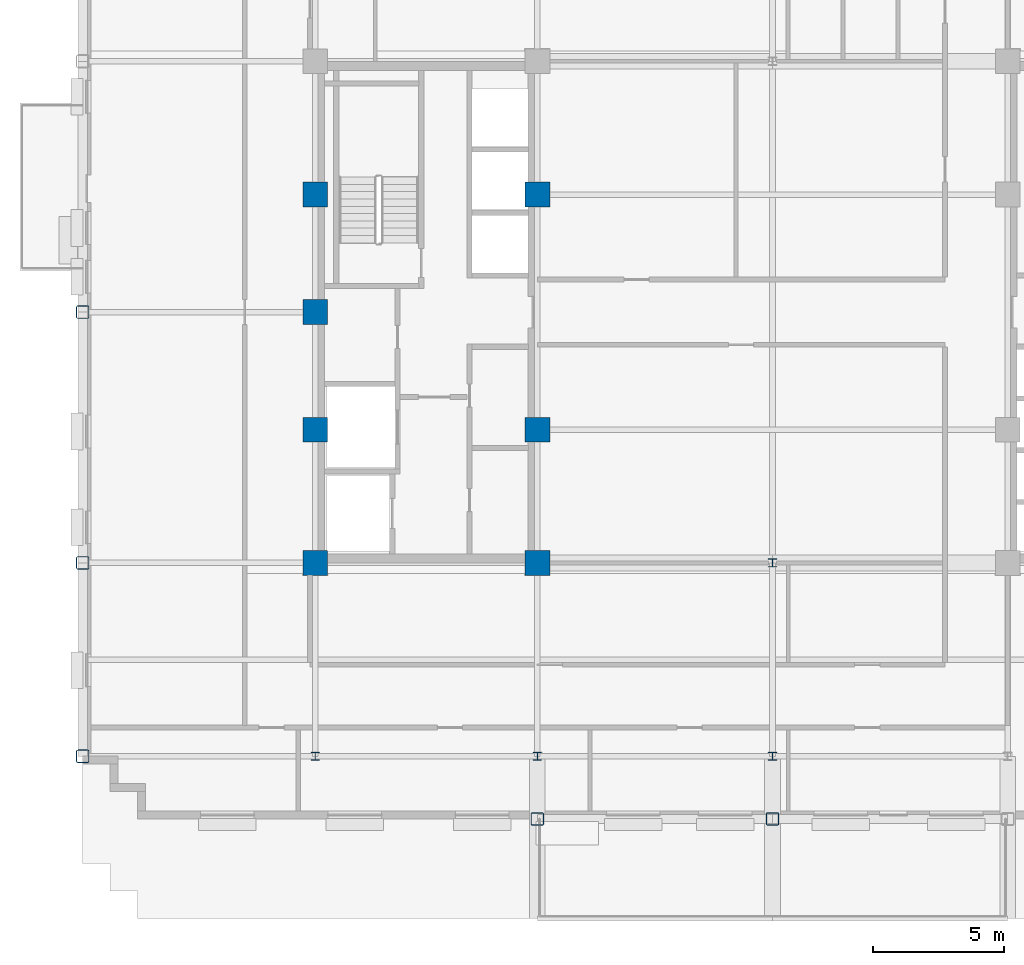
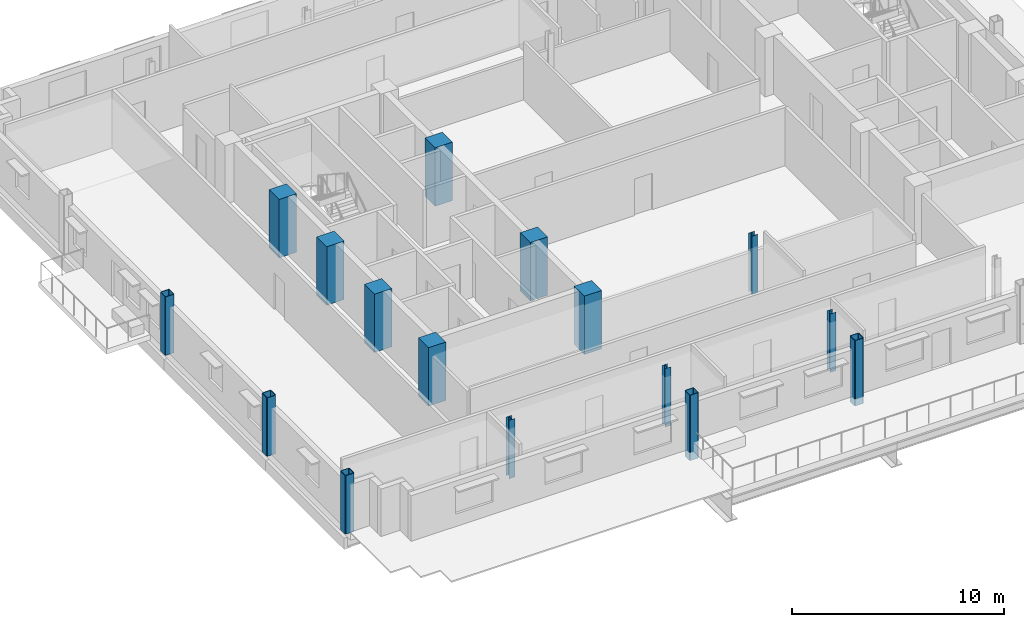
# One storey, part 1 of 16: 16 columns.
"""IFC4 building model written with IfcOpenShell, lengths in metres."""

from ifc_helpers import new_model, si_unit, direction, frame, origin, origin_2d, place, context, subcontext, project, spatial, rectangle, hollow_rectangle, i_section, extrude, material, material_profile, profile_set, type_object, element, save


model = new_model("IFC4")

# Units and contexts
model_context = context("Model", 3, precision=1e-05, world=origin(), true_north=direction((0.0, 1.0)))
body_context = subcontext(model_context, "Body", "Model", "MODEL_VIEW")
ifc_project = project(units=[si_unit("LENGTHUNIT", "METRE"), si_unit("AREAUNIT", "SQUARE_METRE"), si_unit("VOLUMEUNIT", "CUBIC_METRE"), si_unit("PLANEANGLEUNIT", "RADIAN"), si_unit("MASSUNIT", "GRAM", prefix="KILO")], contexts=[model_context])

# Site, building, storey
site_placement = place(None, origin())
site = spatial("IfcSite", under=ifc_project, at=site_placement, CompositionType="ELEMENT")
building_placement = place(site_placement, origin())
building = spatial("IfcBuilding", under=site, at=building_placement, Name="Nuvemarco Arch Tower", CompositionType="ELEMENT")
storey_placement = place(building_placement, frame((0.0, 0.0, 209.14990234375)))
storey = spatial("IfcBuildingStorey", under=building, at=storey_placement, Name="L55", CompositionType="ELEMENT", Elevation=209.14990234375)

# Columns
ifc_material_1 = material(Name="Concrete C50/60", Category="concrete")
ifc_material_profile_1 = material_profile(ifc_material_1, rectangle(XDim=0.949951171875, YDim=0.949951171875, at=origin_2d()), Name="RC-COL-950x950")
ifc_profile_set_1 = profile_set([ifc_material_profile_1], Name="Concrete C50/60")
column_type_1 = type_object("IfcColumnType", Name="COL-CORE-950", PredefinedType="COLUMN", material=ifc_profile_set_1)
for number, where, z_axis, x_axis, name in (
    (1, (-17.5, -9.60009765625, 0.0), (0.0, 0.0, 1.0), (1.0, 0.0, 0.0), "L55 column CC_-17.5_-9.6"),
    (2, (-17.5, -4.5, 0.0), (0.0, 0.0, 1.0), (1.0, 0.0, 0.0), "L55 column CC_-17.5_-4.5"),
    (3, (-17.5, 4.5, 0.0), (0.0, 0.0, 1.0), (1.0, 0.0, 0.0), "L55 column CC_-17.5_+4.5"),
    (4, (-9.0, -9.60009765625, 0.0), (0.0, 0.0, 1.0), (1.0, 0.0, 0.0), "L55 column CC_-9.0_-9.6"),
    (5, (-9.0, -4.5, 0.0), (0.0, 0.0, 1.0), (1.0, 0.0, 0.0), "L55 column CC_-9.0_-4.5"),
    (6, (-9.0, 4.5, 0.0), (0.0, 0.0, 1.0), (1.0, 0.0, 0.0), "L55 column CC_-9.0_+4.5"),
    (7, (-17.5, 0.0, 0.0), (0.0, 0.0, 1.0), (1.0, 0.0, 0.0), "L55 column CC_-17.5_+0.0"),
):
    element("IfcColumn", number, at=place(storey_placement, frame(where, z_axis=z_axis, x_axis=x_axis)), inside=storey, type_object=column_type_1, Name=name, PredefinedType="COLUMN", context=body_context, shape_type="SweptSolid", body=[
        extrude(rectangle(XDim=0.949951171875, YDim=0.949951171875, at=origin_2d()), origin(), (0.0, 0.0, 1.0), 3.3701171875),
    ])
ifc_material_2 = material(Name="Steel S355", Category="steel")
ifc_material_profile_2 = material_profile(ifc_material_2, hollow_rectangle(XDim=0.5, YDim=0.5, WallThickness=0.031982421875, InnerFilletRadius=0.031982421875, OuterFilletRadius=0.06396484375, at=origin_2d()), Name="SHS500x500x32")
ifc_profile_set_2 = profile_set([ifc_material_profile_2], Name="Steel S355")
column_type_2 = type_object("IfcColumnType", Name="COL-EXO-500", PredefinedType="COLUMN", material=ifc_profile_set_2)
for number, where, z_axis, x_axis, name in (
    (8, (-26.39990234375, -17.0, 0.0), (0.0, 0.0, 1.0), (1.0, 0.0, 0.0), "L55 column CX_-26.4_-17.0"),
    (9, (-26.39990234375, -9.60009765625, 0.0), (0.0, 0.0, 1.0), (1.0, 0.0, 0.0), "L55 column CX_-26.4_-9.6"),
    (10, (-26.39990234375, 0.0, 0.0), (0.0, 0.0, 1.0), (1.0, 0.0, 0.0), "L55 column CX_-26.4_+0.0"),
):
    element("IfcColumn", number, at=place(storey_placement, frame(where, z_axis=z_axis, x_axis=x_axis)), inside=storey, type_object=column_type_2, Name=name, PredefinedType="COLUMN", context=body_context, shape_type="SweptSolid", body=[
        extrude(hollow_rectangle(XDim=0.5, YDim=0.5, WallThickness=0.031982421875, InnerFilletRadius=0.031982421875, OuterFilletRadius=0.06396484375, at=origin_2d()), origin(), (0.0, 0.0, 1.0), 3.3701171875),
    ])
for number, where, z_axis, x_axis, name in (
    (11, (-9.0, -19.39990234375, -0.39990234375), (0.0, 0.0, 1.0), (1.0, 0.0, 0.0), "L55 column CY_-9.0_-19.4"),
    (12, (0.0, -19.39990234375, -0.39990234375), (0.0, 0.0, 1.0), (1.0, 0.0, 0.0), "L55 column CY_+0.0_-19.4"),
):
    element("IfcColumn", number, at=place(storey_placement, frame(where, z_axis=z_axis, x_axis=x_axis)), inside=storey, type_object=column_type_2, Name=name, PredefinedType="COLUMN", context=body_context, shape_type="SweptSolid", body=[
        extrude(hollow_rectangle(XDim=0.5, YDim=0.5, WallThickness=0.031982421875, InnerFilletRadius=0.031982421875, OuterFilletRadius=0.06396484375, at=origin_2d()), origin(), (0.0, 0.0, 1.0), 3.77001953125),
    ])
ifc_material_profile_3 = material_profile(ifc_material_2, i_section(OverallWidth=0.31005859375, OverallDepth=0.31005859375, WebThickness=0.015380859375, FlangeThickness=0.015380859375, FilletRadius=0.014892578125, at=origin_2d()), Name="HP310x110")
ifc_profile_set_3 = profile_set([ifc_material_profile_3], Name="Steel S355")
column_type_3 = type_object("IfcColumnType", Name="COL-STL-HP310", PredefinedType="COLUMN", material=ifc_profile_set_3)
for number, where, z_axis, x_axis, name in (
    (13, (0.0, -17.0, 0.0), (0.0, 0.0, 1.0), (1.0, 0.0, 0.0), "L55 column CI_+0.0_-17.0"),
    (14, (0.0, -9.60009765625, 0.0), (0.0, 0.0, 1.0), (1.0, 0.0, 0.0), "L55 column CI_+0.0_-9.6"),
    (15, (-17.5, -17.0, 0.0), (0.0, 0.0, 1.0), (1.0, 0.0, 0.0), "L55 column CI_-17.5_-17.0"),
    (16, (-9.0, -17.0, 0.0), (0.0, 0.0, 1.0), (1.0, 0.0, 0.0), "L55 column CI_-9.0_-17.0"),
):
    element("IfcColumn", number, at=place(storey_placement, frame(where, z_axis=z_axis, x_axis=x_axis)), inside=storey, type_object=column_type_3, Name=name, PredefinedType="COLUMN", context=body_context, shape_type="SweptSolid", body=[
        extrude(i_section(OverallWidth=0.31005859375, OverallDepth=0.31005859375, WebThickness=0.015380859375, FlangeThickness=0.015380859375, FilletRadius=0.014892578125, at=origin_2d()), origin(), (0.0, 0.0, 1.0), 3.3701171875),
    ])

save(model, "model.ifc")
